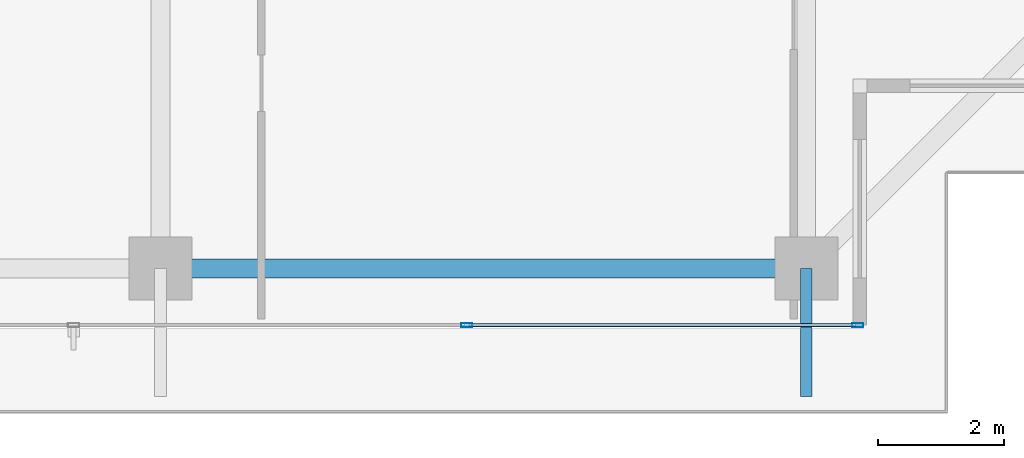
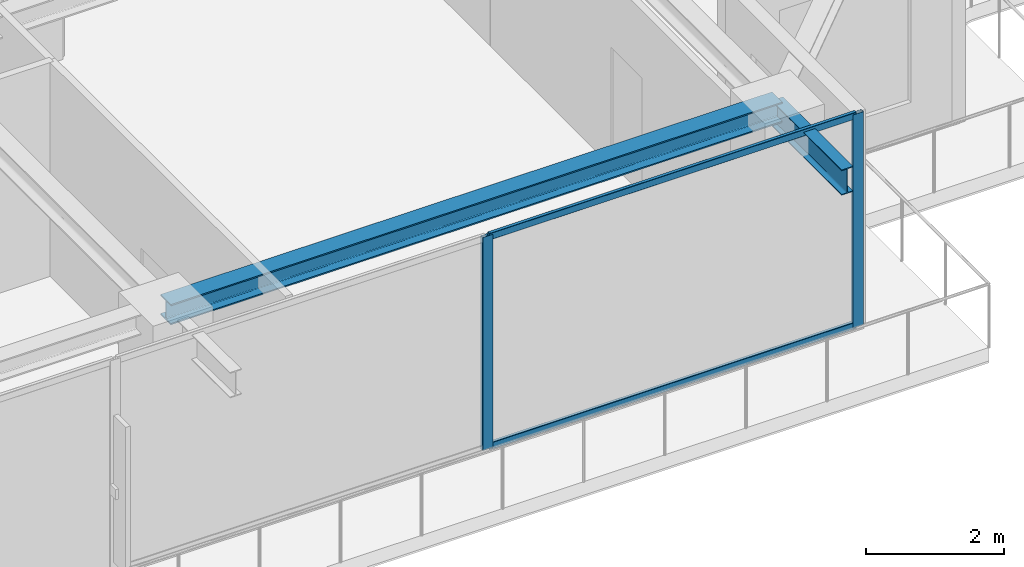
# One storey, part 12 of 40: 4 members, 2 beams, 1 element without a shape of its own.
"""IFC4 building model written with IfcOpenShell, lengths in metres."""

from ifc_helpers import new_model, si_unit, direction, frame, origin, origin_2d, place, context, subcontext, project, spatial, hollow_rectangle, i_section, extrude, source, transform, mapped, material, layer, layer_set, material_profile, profile_set, type_object, element, aggregate, save


model = new_model("IFC4")

# Units and contexts
model_context = context("Model", 3, precision=1e-05, world=origin(), true_north=direction((0.0, 1.0)))
body_context = subcontext(model_context, "Body", "Model", "MODEL_VIEW")
ifc_project = project(units=[si_unit("LENGTHUNIT", "METRE"), si_unit("AREAUNIT", "SQUARE_METRE"), si_unit("VOLUMEUNIT", "CUBIC_METRE"), si_unit("PLANEANGLEUNIT", "RADIAN"), si_unit("MASSUNIT", "GRAM", prefix="KILO")], contexts=[model_context])

# Site, building, storey
site_placement = place(None, origin())
site = spatial("IfcSite", under=ifc_project, at=site_placement, CompositionType="ELEMENT")
building_placement = place(site_placement, origin())
building = spatial("IfcBuilding", under=site, at=building_placement, Name="Serunith Strait Residences", CompositionType="ELEMENT")
storey_placement = place(building_placement, frame((0.0, 0.0, 313.699951171875)))
storey = spatial("IfcBuildingStorey", under=building, at=storey_placement, Name="L78", CompositionType="ELEMENT", Elevation=313.699951171875)

# Beams
ifc_material_1 = material(Name="Steel S355J2", Category="steel")
ifc_material_profile_1 = material_profile(ifc_material_1, i_section(OverallWidth=0.300048828125, OverallDepth=0.360107421875, WebThickness=0.012451171875, FlangeThickness=0.0224609375, FilletRadius=0.027099609375, at=origin_2d()), Name="HEB 360")
ifc_profile_set_1 = profile_set([ifc_material_profile_1], Name="Steel S355J2")
beam_type_1 = type_object("IfcBeamType", Name="BM-HEB360", PredefinedType="BEAM", material=ifc_profile_set_1)
shared_shape_1 = source(origin(), body_context, "Body", "SweptSolid", [
    extrude(i_section(OverallWidth=0.300048828125, OverallDepth=0.360107421875, WebThickness=0.012451171875, FlangeThickness=0.0224609375, FilletRadius=0.027099609375, at=origin_2d()), origin(), (0.0, 0.0, 1.0), 10.25),
])
beam_1_placement = place(storey_placement, frame((36.89990234375, 3.300048828125, 3.60693359375), z_axis=(1.0, 0.0, 0.0), x_axis=(0.0, 1.0, 0.0)))
element("IfcBeam", 1, at=beam_1_placement, inside=storey, type_object=beam_type_1, Name="L78 Perimeter Ring Beam 03", PredefinedType="BEAM", context=body_context, shape_type="MappedRepresentation", body=[
    mapped(shared_shape_1, transform((0.0, 0.0, 0.0), scale=1.0)),
])
ifc_material_profile_2 = material_profile(ifc_material_1, i_section(OverallWidth=0.18994140625, OverallDepth=0.449951171875, WebThickness=0.009521484375, FlangeThickness=0.0146484375, FilletRadius=0.02099609375, at=origin_2d()), Name="IPE 450")
ifc_profile_set_2 = profile_set([ifc_material_profile_2], Name="Steel S355J2")
beam_type_2 = type_object("IfcBeamType", Name="BM-IPE450", PredefinedType="JOIST", material=ifc_profile_set_2)
shared_shape_2 = source(origin(), body_context, "Body", "SweptSolid", [
    extrude(i_section(OverallWidth=0.18994140625, OverallDepth=0.449951171875, WebThickness=0.009521484375, FlangeThickness=0.0146484375, FilletRadius=0.02099609375, at=origin_2d()), origin(), (0.0, 0.0, 1.0), 2.030029296875),
])
beam_2_placement = place(storey_placement, frame((47.14990234375, 3.300048828125, 3.531982421875), z_axis=(0.0, -1.0, 0.0), x_axis=(1.0, 0.0, 0.0)))
element("IfcBeam", 2, at=beam_2_placement, inside=storey, type_object=beam_type_2, Name="L79 Cantilevered Balcony Rib TC-S4", PredefinedType="JOIST", context=body_context, shape_type="MappedRepresentation", body=[
    mapped(shared_shape_2, transform((0.0, 0.0, 0.0), scale=1.0)),
])

# Curtain wall, members
ifc_material_2 = material(Name="Brushed Stainless-Silver Aluminium", Category="aluminium")
ifc_layer = layer(ifc_material_2, 0.199951171875, Name="Brushed Stainless-Silver Aluminium")
ifc_layer_set = layer_set([ifc_layer], Name="Brushed Stainless-Silver Aluminium")
curtain_wall_type = type_object("IfcCurtainWallType", Name="CW-SYS5", PredefinedType="NOTDEFINED", material=ifc_layer_set)
curtain_wall_placement = place(storey_placement, origin())
curtain_wall = element("IfcCurtainWall", 3, at=curtain_wall_placement, inside=storey, type_object=curtain_wall_type, Name="L78 S Unitised Fritted Curtain Wall", PredefinedType="NOTDEFINED")
ifc_material_profile_3 = material_profile(ifc_material_2, hollow_rectangle(XDim=0.06494140625, YDim=0.179931640625, WallThickness=0.00341796875, InnerFilletRadius=0.00537109375, OuterFilletRadius=0.0087890625, at=origin_2d()), Name="ALU 180x65x3.5")
ifc_profile_set_3 = profile_set([ifc_material_profile_3], Name="Brushed Stainless-Silver Aluminium")
member_type_1 = type_object("IfcMemberType", Name="CW-SYS5-MULL", PredefinedType="MULLION", material=ifc_profile_set_3)
shared_shape_3 = source(origin(), body_context, "Body", "SweptSolid", [
    extrude(hollow_rectangle(XDim=0.06494140625, YDim=0.179931640625, WallThickness=0.00341796875, InnerFilletRadius=0.00537109375, OuterFilletRadius=0.0087890625, at=origin_2d()), origin(), (0.0, 0.0, 1.0), 3.775146484375),
])
member_1_placement = place(storey_placement, frame((41.760009765625, 2.39990234375, 0.0), z_axis=(0.0, 0.0, 1.0), x_axis=(0.0, 1.0, 0.0)))
member_1 = element("IfcMember", 4, at=member_1_placement, type_object=member_type_1, Name="CW-5 mullion 5", PredefinedType="MULLION", context=body_context, shape_type="MappedRepresentation", body=[
    mapped(shared_shape_3, transform((0.0, 0.0, 0.0), scale=1.0)),
])
member_2_placement = place(storey_placement, frame((47.967529296875, 2.39990234375, 0.0), z_axis=(0.0, 0.0, 1.0), x_axis=(0.0, 1.0, 0.0)))
member_2 = element("IfcMember", 5, at=member_2_placement, type_object=member_type_1, Name="CW-5 mullion 6", PredefinedType="MULLION", context=body_context, shape_type="MappedRepresentation", body=[
    mapped(shared_shape_3, transform((0.0, 0.0, 0.0), scale=1.0)),
])
ifc_material_profile_4 = material_profile(ifc_material_2, hollow_rectangle(XDim=0.06005859375, YDim=0.1201171875, WallThickness=0.00341796875, InnerFilletRadius=0.00537109375, OuterFilletRadius=0.0087890625, at=origin_2d()), Name="ALU 120x60x3.5")
ifc_profile_set_4 = profile_set([ifc_material_profile_4], Name="Brushed Stainless-Silver Aluminium")
member_type_2 = type_object("IfcMemberType", Name="CW-SYS5-TRAN", PredefinedType="USERDEFINED", material=ifc_profile_set_4)
shared_shape_4 = source(origin(), body_context, "Body", "SweptSolid", [
    extrude(hollow_rectangle(XDim=0.06005859375, YDim=0.1201171875, WallThickness=0.00341796875, InnerFilletRadius=0.00537109375, OuterFilletRadius=0.0087890625, at=origin_2d()), origin(), (0.0, 0.0, 1.0), 6.142578125),
])
member_3_placement = place(storey_placement, frame((41.79248046875, 2.39990234375, 0.030029296875), z_axis=(1.0, 0.0, 0.0), x_axis=(0.0, 1.0, 0.0)))
member_3 = element("IfcMember", 6, at=member_3_placement, type_object=member_type_2, Name="CW-5 transom 5.1", ObjectType="TRANSOM", PredefinedType="USERDEFINED", context=body_context, shape_type="MappedRepresentation", body=[
    mapped(shared_shape_4, transform((0.0, 0.0, 0.0), scale=1.0)),
])
member_4_placement = place(storey_placement, frame((41.79248046875, 2.39990234375, 3.7451171875), z_axis=(1.0, 0.0, 0.0), x_axis=(0.0, 1.0, 0.0)))
member_4 = element("IfcMember", 7, at=member_4_placement, type_object=member_type_2, Name="CW-5 transom 5.2", ObjectType="TRANSOM", PredefinedType="USERDEFINED", context=body_context, shape_type="MappedRepresentation", body=[
    mapped(shared_shape_4, transform((0.0, 0.0, 0.0), scale=1.0)),
])
aggregate(curtain_wall, [member_1, member_2, member_3, member_4])

save(model, "model.ifc")
